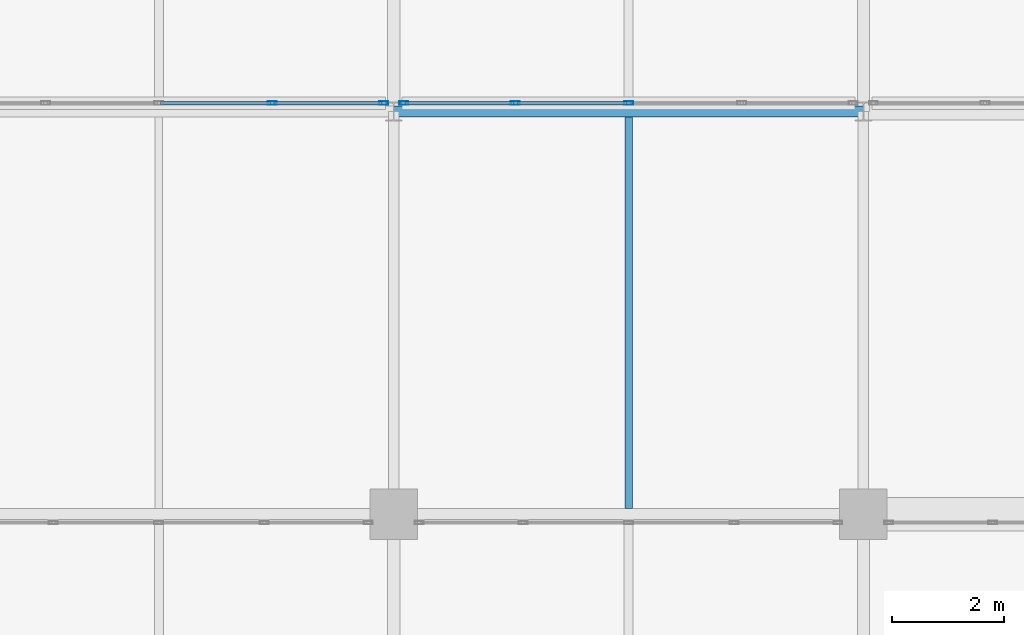
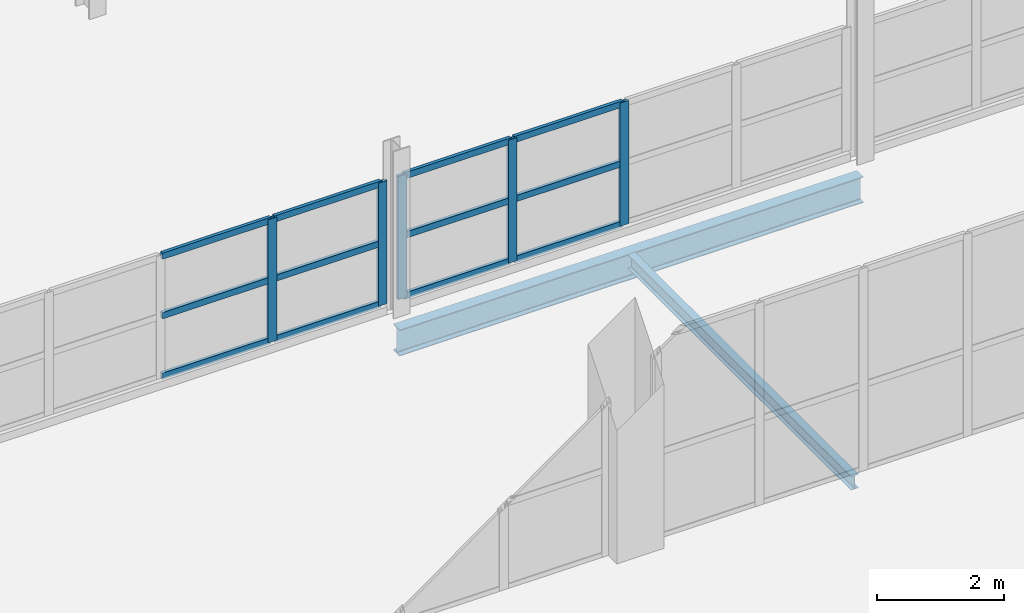
# One storey, part 39 of 103: 17 members, 2 beams, 2 elements without a shape of their own.
"""IFC4 building model written with IfcOpenShell, lengths in metres."""

from ifc_helpers import new_model, si_unit, direction, frame, origin, origin_2d, place, context, subcontext, project, spatial, hollow_rectangle, i_section, extrude, material, material_profile, profile_set, type_object, element, aggregate, save


model = new_model("IFC4")

# Units and contexts
model_context = context("Model", 3, precision=1e-05, world=origin(), true_north=direction((0.0, 1.0)))
body_context = subcontext(model_context, "Body", "Model", "MODEL_VIEW")
ifc_project = project(units=[si_unit("LENGTHUNIT", "METRE"), si_unit("AREAUNIT", "SQUARE_METRE"), si_unit("VOLUMEUNIT", "CUBIC_METRE"), si_unit("PLANEANGLEUNIT", "RADIAN"), si_unit("MASSUNIT", "GRAM", prefix="KILO")], contexts=[model_context])

# Site, building, storey
site_placement = place(None, origin())
site = spatial("IfcSite", under=ifc_project, at=site_placement, CompositionType="ELEMENT")
building_placement = place(site_placement, origin())
building = spatial("IfcBuilding", under=site, at=building_placement, Name="Veltarok Museum of Natural Sciences", CompositionType="ELEMENT")
storey_placement = place(building_placement, frame((0.0, 0.0, 21.89990234375)))
storey = spatial("IfcBuildingStorey", under=building, at=storey_placement, Name="L04", CompositionType="ELEMENT", Elevation=21.89990234375)

# Curtain wall, members
ifc_material_1 = material(Name="Low-iron triple insulated glass", Category="glass")
curtain_wall_type = type_object("IfcCurtainWallType", Name="Curtain Wall System CW-V2S-L04-810x236 (V2 South Setback L04 810x236cm)", PredefinedType="NOTDEFINED", material=ifc_material_1)
curtain_wall_1_placement = place(storey_placement, origin())
curtain_wall_1 = element("IfcCurtainWall", 1, at=curtain_wall_1_placement, inside=storey, type_object=curtain_wall_type, Name="Curtain Wall CW-V2S-L04-810x236 CW-0227", PredefinedType="NOTDEFINED")
ifc_material_2 = material(Name="Thermally broken anodised aluminium", Category="aluminium")
ifc_material_profile_1 = material_profile(ifc_material_2, hollow_rectangle(XDim=0.06005859375, YDim=0.1201171875, WallThickness=0.0048828125, at=origin_2d()), Name="CW TRANSOM 60x120x5")
ifc_profile_set_1 = profile_set([ifc_material_profile_1], Name="Thermally broken anodised aluminium")
member_type_1 = type_object("IfcMemberType", Name="Curtain Wall Horizontal Transom 60x120x5", PredefinedType="USERDEFINED", material=ifc_profile_set_1)
member_1_placement = place(storey_placement, frame((77.830078125, 26.550048828125, 0.190185546875), z_axis=(1.0, 0.0, 0.0), x_axis=(0.0, 1.0, 0.0)))
member_1 = element("IfcMember", 2, at=member_1_placement, type_object=member_type_1, Name="CW-V2S-L04-810x236 transom 3.1", ObjectType="TRANSOM", PredefinedType="USERDEFINED", context=body_context, shape_type="SweptSolid", body=[
    extrude(hollow_rectangle(XDim=0.06005859375, YDim=0.1201171875, WallThickness=0.0048828125, at=origin_2d()), origin(), (0.0, 0.0, 1.0), 1.96484375),
])
member_2_placement = place(storey_placement, frame((77.830078125, 26.550048828125, 1.35009765625), z_axis=(1.0, 0.0, 0.0), x_axis=(0.0, 1.0, 0.0)))
member_2 = element("IfcMember", 3, at=member_2_placement, type_object=member_type_1, Name="CW-V2S-L04-810x236 transom 3.2", ObjectType="TRANSOM", PredefinedType="USERDEFINED", context=body_context, shape_type="SweptSolid", body=[
    extrude(hollow_rectangle(XDim=0.06005859375, YDim=0.1201171875, WallThickness=0.0048828125, at=origin_2d()), origin(), (0.0, 0.0, 1.0), 1.96484375),
])
member_3_placement = place(storey_placement, frame((77.830078125, 26.550048828125, 2.489990234375), z_axis=(1.0, 0.0, 0.0), x_axis=(0.0, 1.0, 0.0)))
member_3 = element("IfcMember", 4, at=member_3_placement, type_object=member_type_1, Name="CW-V2S-L04-810x236 transom 3.3", ObjectType="TRANSOM", PredefinedType="USERDEFINED", context=body_context, shape_type="SweptSolid", body=[
    extrude(hollow_rectangle(XDim=0.06005859375, YDim=0.1201171875, WallThickness=0.0048828125, at=origin_2d()), origin(), (0.0, 0.0, 1.0), 1.96484375),
])
member_4_placement = place(storey_placement, frame((79.85498046875, 26.550048828125, 0.190185546875), z_axis=(1.0, 0.0, 0.0), x_axis=(0.0, 1.0, 0.0)))
member_4 = element("IfcMember", 5, at=member_4_placement, type_object=member_type_1, Name="CW-V2S-L04-810x236 transom 4.1", ObjectType="TRANSOM", PredefinedType="USERDEFINED", context=body_context, shape_type="SweptSolid", body=[
    extrude(hollow_rectangle(XDim=0.06005859375, YDim=0.1201171875, WallThickness=0.0048828125, at=origin_2d()), origin(), (0.0, 0.0, 1.0), 1.93505859375),
])
member_5_placement = place(storey_placement, frame((79.85498046875, 26.550048828125, 1.35009765625), z_axis=(1.0, 0.0, 0.0), x_axis=(0.0, 1.0, 0.0)))
member_5 = element("IfcMember", 6, at=member_5_placement, type_object=member_type_1, Name="CW-V2S-L04-810x236 transom 4.2", ObjectType="TRANSOM", PredefinedType="USERDEFINED", context=body_context, shape_type="SweptSolid", body=[
    extrude(hollow_rectangle(XDim=0.06005859375, YDim=0.1201171875, WallThickness=0.0048828125, at=origin_2d()), origin(), (0.0, 0.0, 1.0), 1.93505859375),
])
member_6_placement = place(storey_placement, frame((79.85498046875, 26.550048828125, 2.489990234375), z_axis=(1.0, 0.0, 0.0), x_axis=(0.0, 1.0, 0.0)))
member_6 = element("IfcMember", 7, at=member_6_placement, type_object=member_type_1, Name="CW-V2S-L04-810x236 transom 4.3", ObjectType="TRANSOM", PredefinedType="USERDEFINED", context=body_context, shape_type="SweptSolid", body=[
    extrude(hollow_rectangle(XDim=0.06005859375, YDim=0.1201171875, WallThickness=0.0048828125, at=origin_2d()), origin(), (0.0, 0.0, 1.0), 1.93505859375),
])

curtain_wall_2_placement = place(storey_placement, origin())
curtain_wall_2 = element("IfcCurtainWall", 8, at=curtain_wall_2_placement, inside=storey, type_object=curtain_wall_type, Name="Curtain Wall CW-V2S-L04-810x236 CW-0228", PredefinedType="NOTDEFINED")
member_7_placement = place(storey_placement, frame((82.2099609375, 26.550048828125, 0.190185546875), z_axis=(1.0, 0.0, 0.0), x_axis=(0.0, 1.0, 0.0)))
member_7 = element("IfcMember", 9, at=member_7_placement, type_object=member_type_1, Name="CW-V2S-L04-810x236 transom 1.1", ObjectType="TRANSOM", PredefinedType="USERDEFINED", context=body_context, shape_type="SweptSolid", body=[
    extrude(hollow_rectangle(XDim=0.06005859375, YDim=0.1201171875, WallThickness=0.0048828125, at=origin_2d()), origin(), (0.0, 0.0, 1.0), 1.93505859375),
])
member_8_placement = place(storey_placement, frame((82.2099609375, 26.550048828125, 1.35009765625), z_axis=(1.0, 0.0, 0.0), x_axis=(0.0, 1.0, 0.0)))
member_8 = element("IfcMember", 10, at=member_8_placement, type_object=member_type_1, Name="CW-V2S-L04-810x236 transom 1.2", ObjectType="TRANSOM", PredefinedType="USERDEFINED", context=body_context, shape_type="SweptSolid", body=[
    extrude(hollow_rectangle(XDim=0.06005859375, YDim=0.1201171875, WallThickness=0.0048828125, at=origin_2d()), origin(), (0.0, 0.0, 1.0), 1.93505859375),
])
member_9_placement = place(storey_placement, frame((82.2099609375, 26.550048828125, 2.489990234375), z_axis=(1.0, 0.0, 0.0), x_axis=(0.0, 1.0, 0.0)))
member_9 = element("IfcMember", 11, at=member_9_placement, type_object=member_type_1, Name="CW-V2S-L04-810x236 transom 1.3", ObjectType="TRANSOM", PredefinedType="USERDEFINED", context=body_context, shape_type="SweptSolid", body=[
    extrude(hollow_rectangle(XDim=0.06005859375, YDim=0.1201171875, WallThickness=0.0048828125, at=origin_2d()), origin(), (0.0, 0.0, 1.0), 1.93505859375),
])
member_10_placement = place(storey_placement, frame((84.205078125, 26.550048828125, 0.190185546875), z_axis=(1.0, 0.0, 0.0), x_axis=(0.0, 1.0, 0.0)))
member_10 = element("IfcMember", 12, at=member_10_placement, type_object=member_type_1, Name="CW-V2S-L04-810x236 transom 2.1", ObjectType="TRANSOM", PredefinedType="USERDEFINED", context=body_context, shape_type="SweptSolid", body=[
    extrude(hollow_rectangle(XDim=0.06005859375, YDim=0.1201171875, WallThickness=0.0048828125, at=origin_2d()), origin(), (0.0, 0.0, 1.0), 1.96484375),
])
member_11_placement = place(storey_placement, frame((84.205078125, 26.550048828125, 1.35009765625), z_axis=(1.0, 0.0, 0.0), x_axis=(0.0, 1.0, 0.0)))
member_11 = element("IfcMember", 13, at=member_11_placement, type_object=member_type_1, Name="CW-V2S-L04-810x236 transom 2.2", ObjectType="TRANSOM", PredefinedType="USERDEFINED", context=body_context, shape_type="SweptSolid", body=[
    extrude(hollow_rectangle(XDim=0.06005859375, YDim=0.1201171875, WallThickness=0.0048828125, at=origin_2d()), origin(), (0.0, 0.0, 1.0), 1.96484375),
])
member_12_placement = place(storey_placement, frame((84.205078125, 26.550048828125, 2.489990234375), z_axis=(1.0, 0.0, 0.0), x_axis=(0.0, 1.0, 0.0)))
member_12 = element("IfcMember", 14, at=member_12_placement, type_object=member_type_1, Name="CW-V2S-L04-810x236 transom 2.3", ObjectType="TRANSOM", PredefinedType="USERDEFINED", context=body_context, shape_type="SweptSolid", body=[
    extrude(hollow_rectangle(XDim=0.06005859375, YDim=0.1201171875, WallThickness=0.0048828125, at=origin_2d()), origin(), (0.0, 0.0, 1.0), 1.96484375),
])

# Member
ifc_material_profile_2 = material_profile(ifc_material_2, hollow_rectangle(XDim=0.06005859375, YDim=0.159912109375, WallThickness=0.0048828125, at=origin_2d()), Name="CW MULLION 60x160x5")
ifc_profile_set_2 = profile_set([ifc_material_profile_2], Name="Thermally broken anodised aluminium")
member_type_2 = type_object("IfcMemberType", Name="Curtain Wall Vertical Mullion 60x160x5", PredefinedType="MULLION", material=ifc_profile_set_2)
member_13_placement = place(storey_placement, frame((79.824951171875, 26.550048828125, 0.16015625), z_axis=(0.0, 0.0, 1.0), x_axis=(0.0, 1.0, 0.0)))
member_13 = element("IfcMember", 15, at=member_13_placement, type_object=member_type_2, Name="CW-V2S-L04-810x236 mullion 4", PredefinedType="MULLION", context=body_context, shape_type="SweptSolid", body=[
    extrude(hollow_rectangle(XDim=0.06005859375, YDim=0.159912109375, WallThickness=0.0048828125, at=origin_2d()), origin(), (0.0, 0.0, 1.0), 2.35986328125),
])

member_14_placement = place(storey_placement, frame((81.820068359375, 26.550048828125, 0.16015625), z_axis=(0.0, 0.0, 1.0), x_axis=(0.0, 1.0, 0.0)))
member_14 = element("IfcMember", 16, at=member_14_placement, type_object=member_type_2, Name="CW-V2S-L04-810x236 mullion 5", PredefinedType="MULLION", context=body_context, shape_type="SweptSolid", body=[
    extrude(hollow_rectangle(XDim=0.06005859375, YDim=0.159912109375, WallThickness=0.0048828125, at=origin_2d()), origin(), (0.0, 0.0, 1.0), 2.35986328125),
])

aggregate(curtain_wall_1, [member_13, member_14, member_1, member_2, member_3, member_4, member_5, member_6])

member_15_placement = place(storey_placement, frame((82.179931640625, 26.550048828125, 0.16015625), z_axis=(0.0, 0.0, 1.0), x_axis=(0.0, 1.0, 0.0)))
member_15 = element("IfcMember", 17, at=member_15_placement, type_object=member_type_2, Name="CW-V2S-L04-810x236 mullion 1", PredefinedType="MULLION", context=body_context, shape_type="SweptSolid", body=[
    extrude(hollow_rectangle(XDim=0.06005859375, YDim=0.159912109375, WallThickness=0.0048828125, at=origin_2d()), origin(), (0.0, 0.0, 1.0), 2.35986328125),
])

member_16_placement = place(storey_placement, frame((84.175048828125, 26.550048828125, 0.16015625), z_axis=(0.0, 0.0, 1.0), x_axis=(0.0, 1.0, 0.0)))
member_16 = element("IfcMember", 18, at=member_16_placement, type_object=member_type_2, Name="CW-V2S-L04-810x236 mullion 2", PredefinedType="MULLION", context=body_context, shape_type="SweptSolid", body=[
    extrude(hollow_rectangle(XDim=0.06005859375, YDim=0.159912109375, WallThickness=0.0048828125, at=origin_2d()), origin(), (0.0, 0.0, 1.0), 2.35986328125),
])

member_17_placement = place(storey_placement, frame((86.199951171875, 26.550048828125, 0.16015625), z_axis=(0.0, 0.0, 1.0), x_axis=(0.0, 1.0, 0.0)))
member_17 = element("IfcMember", 19, at=member_17_placement, type_object=member_type_2, Name="CW-V2S-L04-810x236 mullion 3", PredefinedType="MULLION", context=body_context, shape_type="SweptSolid", body=[
    extrude(hollow_rectangle(XDim=0.06005859375, YDim=0.159912109375, WallThickness=0.0048828125, at=origin_2d()), origin(), (0.0, 0.0, 1.0), 2.35986328125),
])

aggregate(curtain_wall_2, [member_15, member_16, member_17, member_7, member_8, member_9, member_10, member_11, member_12])

# Beams
ifc_material_3 = material(Name="Steel S355J2", Category="steel")
ifc_material_profile_3 = material_profile(ifc_material_3, i_section(OverallWidth=0.135009765625, OverallDepth=0.27001953125, WebThickness=0.006591796875, FlangeThickness=0.01025390625, FilletRadius=0.014892578125, at=origin_2d()), Name="IPE 270")
ifc_profile_set_3 = profile_set([ifc_material_profile_3], Name="Steel S355J2")
beam_type_1 = type_object("IfcBeamType", Name="Short-Bay Composite Joist IPE 270", PredefinedType="JOIST", material=ifc_profile_set_3)
beam_1_placement = place(storey_placement, frame((86.199951171875, 19.298095703125, -0.385009765625), z_axis=(0.0, 1.0, 0.0), x_axis=(-1.0, 0.0, 0.0)))
element("IfcBeam", 20, at=beam_1_placement, inside=storey, type_object=beam_type_1, Name="Secondary Joist BM-J04 L04 10-11/C-D.1", PredefinedType="JOIST", context=body_context, shape_type="SweptSolid", body=[
    extrude(i_section(OverallWidth=0.135009765625, OverallDepth=0.27001953125, WebThickness=0.006591796875, FlangeThickness=0.01025390625, FilletRadius=0.014892578125, at=origin_2d()), origin(), (0.0, 0.0, 1.0), 7.00390625),
])
ifc_material_profile_4 = material_profile(ifc_material_3, i_section(OverallWidth=0.199951171875, OverallDepth=0.5, WebThickness=0.01025390625, FlangeThickness=0.01611328125, FilletRadius=0.02099609375, at=origin_2d()), Name="IPE 500")
ifc_profile_set_4 = profile_set([ifc_material_profile_4], Name="Steel S355J2")
beam_type_2 = type_object("IfcBeamType", Name="Standard Gallery Girder IPE 500", PredefinedType="BEAM", material=ifc_profile_set_4)
beam_2_placement = place(storey_placement, frame((82.0, 26.39990234375, -0.5), z_axis=(1.0, 0.0, 0.0), x_axis=(0.0, 1.0, 0.0)))
element("IfcBeam", 21, at=beam_2_placement, inside=storey, type_object=beam_type_2, Name="Beam BM-G04 L04 10-11/D", PredefinedType="BEAM", context=body_context, shape_type="SweptSolid", body=[
    extrude(i_section(OverallWidth=0.199951171875, OverallDepth=0.5, WebThickness=0.01025390625, FlangeThickness=0.01611328125, FilletRadius=0.02099609375, at=origin_2d()), origin(), (0.0, 0.0, 1.0), 8.39990234375),
])

save(model, "model.ifc")
